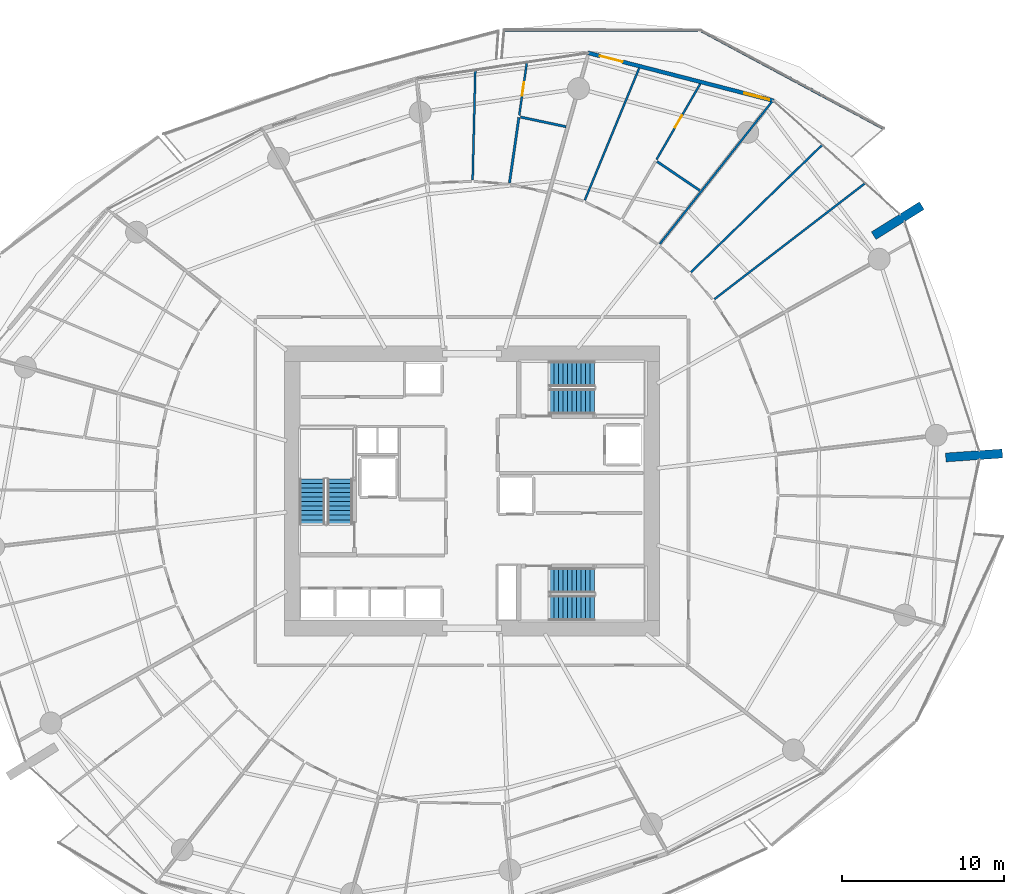
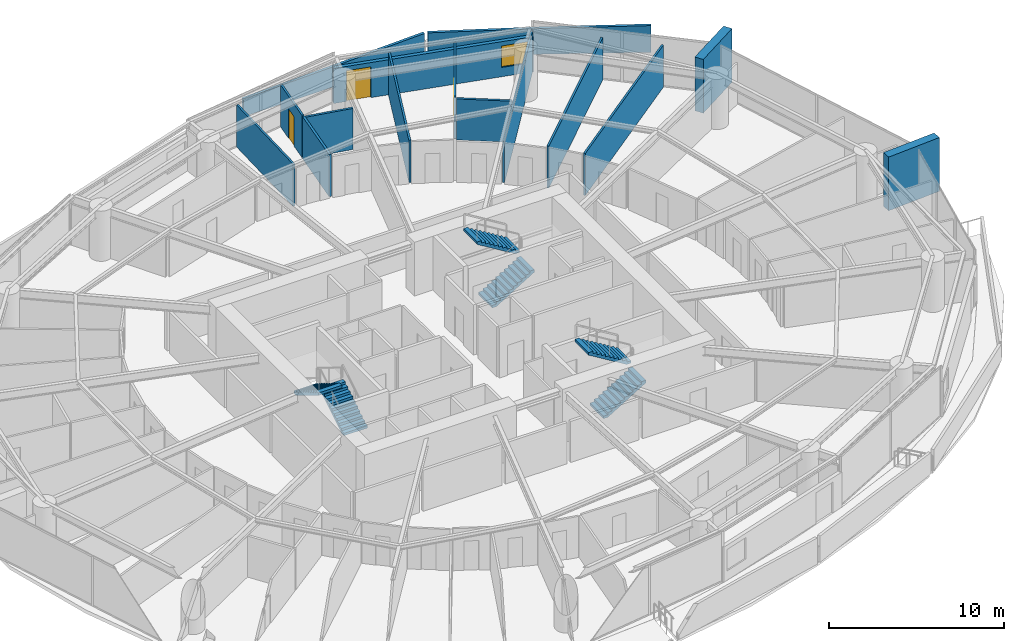
# One storey, part 24 of 31: 15 walls, 6 stair flights, 3 doors, 1 window, 4 openings, 3 elements without a shape of their own.
"""IFC4 building model written with IfcOpenShell, lengths in metres."""

from ifc_helpers import new_model, si_unit, direction, frame, frame_2d, origin, place, context, subcontext, project, spatial, polyline, rectangle, outline, extrude, material, layer, layer_set, type_object, element, fill, aggregate, save


model = new_model("IFC4")

# Units and contexts
model_context = context("Model", 3, precision=1e-05, world=origin(), true_north=direction((0.0, 1.0)))
body_context = subcontext(model_context, "Body", "Model", "MODEL_VIEW")
ifc_project = project(units=[si_unit("LENGTHUNIT", "METRE"), si_unit("AREAUNIT", "SQUARE_METRE"), si_unit("VOLUMEUNIT", "CUBIC_METRE"), si_unit("PLANEANGLEUNIT", "RADIAN"), si_unit("MASSUNIT", "GRAM", prefix="KILO")], contexts=[model_context])

# Site, building, storey
site_placement = place(None, origin())
site = spatial("IfcSite", under=ifc_project, at=site_placement, CompositionType="ELEMENT")
building_placement = place(site_placement, origin())
building = spatial("IfcBuilding", under=site, at=building_placement, Name="Kazma Halo Residences", CompositionType="ELEMENT")
storey_placement = place(building_placement, frame((0.0, 0.0, 45.14990234375)))
storey = spatial("IfcBuildingStorey", under=building, at=storey_placement, Name="L10", CompositionType="ELEMENT", Elevation=45.14990234375)

# Walls
ifc_material_1 = material(Name="White Concrete C50/60 Balustrade", Category="concrete")
ifc_layer_1 = layer(ifc_material_1, 0.179931640625)
ifc_layer_set_1 = layer_set([ifc_layer_1], Name="White Concrete C50/60 Balustrade")
wall_type_1 = type_object("IfcWallType", Name="WL-BAL-WAVE-180", PredefinedType="PARAPET", material=ifc_layer_set_1)
wall_1_placement = place(storey_placement, frame((73.873779296875, 64.373291015625, 0.0), z_axis=(0.0, 0.0, 1.0), x_axis=(-0.881385944807, 0.472396884301, 0.0)))
element("IfcWall", 1, at=wall_1_placement, inside=storey, type_object=wall_type_1, Name="L10 white wave balustrade wall NE.1", PredefinedType="PARAPET", context=body_context, shape_type="SweptSolid", body=[
    extrude(outline(polyline([(0.0, 0.0), (12.779296875, 0.0), (12.779296875, 1.632080078125), (6.3896484375, 1.798095703125), (0.0, 1.860107421875), (0.0, 0.0)])), frame((0.0, 0.08984375, 0.0), z_axis=(0.0, -1.0, 0.0), x_axis=(1.0, 0.0, 0.0)), (0.0, 0.0, 1.0), 0.179931640625),
])
wall_2_placement = place(storey_placement, frame((62.384521484375, 70.466796875, 0.0), z_axis=(0.0, 0.0, 1.0), x_axis=(-0.999999859357, 0.000530363224, 0.0)))
element("IfcWall", 2, at=wall_2_placement, inside=storey, type_object=wall_type_1, Name="L10 white wave balustrade wall NE.2", PredefinedType="PARAPET", context=body_context, shape_type="SweptSolid", body=[
    extrude(outline(polyline([(0.0, 0.0), (11.968505859375, 0.0), (11.968505859375, 1.233154296875), (5.984375, 1.418212890625), (0.0, 1.632080078125), (0.0, 0.0)])), frame((0.0, 0.08984375, 0.0), z_axis=(0.0, -1.0, 0.0), x_axis=(1.0, 0.0, 0.0)), (0.0, 0.0, 1.0), 0.179931640625),
])
ifc_material_2 = material(Name="Pale Concrete C60/75", Category="concrete")
ifc_layer_2 = layer(ifc_material_2, 0.550048828125)
ifc_layer_set_2 = layer_set([ifc_layer_2], Name="Pale Concrete C60/75")
wall_type_2 = type_object("IfcWallType", Name="WL-BLADE-550", PredefinedType="SOLIDWALL", material=ifc_layer_set_2)
for number, where, z_axis, x_axis, name in (
    (3, (73.229736328125, 57.765380859375, 0.0), (0.0, 0.0, 1.0), (0.848053161125, 0.529911158502, 0.0), "L10 pale concrete structural blade fin wall BW-01"),
    (4, (77.677978515625, 44.0751953125, 0.0), (0.0, 0.0, 1.0), (0.997564163539, 0.069754853754, 0.0), "L10 pale concrete structural blade fin wall BW-04"),
):
    element("IfcWall", number, at=place(storey_placement, frame(where, z_axis=z_axis, x_axis=x_axis)), inside=storey, type_object=wall_type_2, Name=name, PredefinedType="SOLIDWALL", context=body_context, shape_type="SweptSolid", body=[
        extrude(rectangle(XDim=3.5, YDim=0.550048828125, at=frame_2d((1.75, 0.0))), origin(), (0.0, 0.0, 1.0), 3.75),
    ])

# Wall, openings, door, window
ifc_material_3 = material(Name="Insulated Pale-Metal Composite Wall")
ifc_layer_3 = layer(ifc_material_3, 0.239990234375)
ifc_layer_set_3 = layer_set([ifc_layer_3], Name="Insulated Pale-Metal Composite Wall")
wall_type_3 = type_object("IfcWallType", Name="WL-EXT-HOST-240", PredefinedType="SOLIDWALL", material=ifc_layer_set_3)
wall_3_placement = place(storey_placement, frame((67.05419921875, 66.09619140625, 0.0), z_axis=(0.0, 0.0, 1.0), x_axis=(-0.96833871487, 0.249640007378, 0.0)))
wall_3 = element("IfcWall", 5, at=wall_3_placement, inside=storey, type_object=wall_type_3, Name="L10 exterior terrace-access wall B02", PredefinedType="SOLIDWALL", context=body_context, shape_type="SweptSolid", body=[
    extrude(rectangle(XDim=11.85107421875, YDim=0.239990234375, at=frame_2d((5.925537109375, 0.0))), origin(), (0.0, 0.0, 1.0), 2.4501953125),
])
opening_1_placement = place(wall_3_placement, frame((9.631103515625, 0.0, 0.0)))
opening_1 = element("IfcOpeningElement", 6, at=opening_1_placement, cuts=wall_3, Name="Opening DTR-1600", PredefinedType="OPENING", context=body_context, shape_type="SweptSolid", body=[
    extrude(rectangle(XDim=1.449951171875, YDim=2.14990234375, at=frame_2d((0.72509765625, 1.074951171875))), frame((0.0, 0.1298828125, 0.0), z_axis=(0.0, -1.0, 0.0), x_axis=(1.0, 0.0, 0.0)), (0.0, 0.0, 1.0), 0.260009765625),
])
opening_2_placement = place(wall_3_placement, frame((0.280029296875, 0.0, 0.64990234375)))
opening_2 = element("IfcOpeningElement", 7, at=opening_2_placement, cuts=wall_3, Name="Opening W-1800", PredefinedType="OPENING", context=body_context, shape_type="SweptSolid", body=[
    extrude(rectangle(XDim=1.60009765625, YDim=1.5, at=frame_2d((0.800048828125, 0.75))), frame((0.0, 0.1298828125, 0.0), z_axis=(0.0, -1.0, 0.0), x_axis=(1.0, 0.0, 0.0)), (0.0, 0.0, 1.0), 0.260009765625),
])
ifc_material_4 = material(Name="Aluminium AW-6063 T6 Double-Glazed Terrace Door", Category="aluminium")
door_type_1 = type_object("IfcDoorType", Name="DR-EXT-TERR-1600", OperationType="NOTDEFINED", PredefinedType="DOOR", material=ifc_material_4)
door_1_placement = place(opening_1_placement, origin())
door_1 = element("IfcDoor", 8, at=door_1_placement, inside=storey, type_object=door_type_1, Name="L10 B02 balcony terrace door", OperationType="DOUBLE_DOOR_SLIDING", OverallHeight=2.14990234375, OverallWidth=1.449951171875, PredefinedType="DOOR", context=body_context, shape_type="SweptSolid", body=[
    extrude(rectangle(XDim=1.449951171875, YDim=2.14990234375, at=frame_2d((0.72509765625, 1.074951171875))), frame((0.0, 0.02490234375, 0.0), z_axis=(0.0, -1.0, 0.0), x_axis=(1.0, 0.0, 0.0)), (0.0, 0.0, 1.0), 0.050048828125),
])
fill(opening_1, door_1)
ifc_material_5 = material(Name="Clear Triple-Silver Low-E Glass in Aluminium AW-6063 T6 Frame", Category="aluminium")
window_type = type_object("IfcWindowType", Name="WIN-RES-1800", PartitioningType="DOUBLE_PANEL_VERTICAL", PredefinedType="WINDOW", material=ifc_material_5)
window_placement = place(opening_2_placement, origin())
window = element("IfcWindow", 9, at=window_placement, inside=storey, type_object=window_type, Name="L10 B02 apartment window", OverallHeight=1.5, OverallWidth=1.60009765625, PartitioningType="SINGLE_PANEL", PredefinedType="WINDOW", context=body_context, shape_type="SweptSolid", body=[
    extrude(rectangle(XDim=1.60009765625, YDim=1.5, at=frame_2d((0.800048828125, 0.75))), frame((0.0, 0.030029296875, 0.0), z_axis=(0.0, -1.0, 0.0), x_axis=(1.0, 0.0, 0.0)), (0.0, 0.0, 1.0), 0.06005859375),
])
fill(opening_2, window)

# Wall, opening, door
ifc_material_6 = material(Name="Gypsum Plasterboard Partition")
ifc_layer_4 = layer(ifc_material_6, 0.125)
ifc_layer_set_4 = layer_set([ifc_layer_4], Name="Gypsum Plasterboard Partition")
wall_type_4 = type_object("IfcWallType", Name="WL-PART-125", PredefinedType="PARTITIONING", material=ifc_layer_set_4)
wall_4_placement = place(storey_placement, frame((51.348388671875, 65.19970703125, 0.0), z_axis=(0.0, 0.0, 1.0), x_axis=(0.142797074678, 0.989751986845, 0.0)))
wall_4 = element("IfcWall", 10, at=wall_4_placement, inside=storey, type_object=wall_type_4, Name="L10 Apartment 1 Household Store Room partition wall", PredefinedType="PARTITIONING", context=body_context, shape_type="SweptSolid", body=[
    extrude(rectangle(XDim=3.279296875, YDim=0.125, at=frame_2d((1.6396484375, 0.0))), origin(), (0.0, 0.0, 1.0), 2.940185546875),
])
opening_3_placement = place(wall_4_placement, frame((1.214599609375, 0.0, 0.0)))
opening_3 = element("IfcOpeningElement", 11, at=opening_3_placement, cuts=wall_4, Name="Opening DB-900", PredefinedType="OPENING", context=body_context, shape_type="SweptSolid", body=[
    extrude(rectangle(XDim=0.85009765625, YDim=2.06005859375, at=frame_2d((0.425048828125, 1.030029296875))), frame((0.0, 0.072509765625, 0.0), z_axis=(0.0, -1.0, 0.0), x_axis=(1.0, 0.0, 0.0)), (0.0, 0.0, 1.0), 0.14501953125),
])
ifc_material_7 = material(Name="Moisture-Sealed Timber Leaf", Category="wood")
door_type_2 = type_object("IfcDoorType", Name="DR-BTH-900", OperationType="NOTDEFINED", PredefinedType="DOOR", material=ifc_material_7)
door_2_placement = place(opening_3_placement, origin())
door_2 = element("IfcDoor", 12, at=door_2_placement, inside=storey, type_object=door_type_2, Name="L10 Apartment 1 Household Store Room door", OperationType="SINGLE_SWING_RIGHT", OverallHeight=2.06005859375, OverallWidth=0.85009765625, PredefinedType="DOOR", context=body_context, shape_type="SweptSolid", body=[
    extrude(rectangle(XDim=0.85009765625, YDim=2.06005859375, at=frame_2d((0.425048828125, 1.030029296875))), frame((0.0, 0.02490234375, 0.0), z_axis=(0.0, -1.0, 0.0), x_axis=(1.0, 0.0, 0.0)), (0.0, 0.0, 1.0), 0.050048828125),
])
fill(opening_3, door_2)

# Walls
wall_5_placement = place(storey_placement, frame((48.47119140625, 61.21435546875, 0.0), z_axis=(0.0, 0.0, 1.0), x_axis=(0.024507226547, 0.999699652819, 0.0)))
element("IfcWall", 13, at=wall_5_placement, inside=storey, type_object=wall_type_4, Name="L10 Apartment 1 suite divider 2", PredefinedType="PARTITIONING", context=body_context, shape_type="SweptSolid", body=[
    extrude(rectangle(XDim=6.754150390625, YDim=0.125, at=frame_2d((3.376953125, 0.0))), origin(), (0.0, 0.0, 1.0), 2.940185546875),
])
wall_6_placement = place(storey_placement, frame((63.393798828125, 53.84423828125, 0.0), z_axis=(0.0, 0.0, 1.0), x_axis=(0.792561224619, 0.609792345992, 0.0)))
element("IfcWall", 14, at=wall_6_placement, inside=storey, type_object=wall_type_4, Name="L10 Apartment 3 bay wall 1 0", PredefinedType="PARTITIONING", context=body_context, shape_type="SweptSolid", body=[
    extrude(rectangle(XDim=11.713623046875, YDim=0.125, at=frame_2d((5.85693359375, 0.0))), origin(), (0.0, 0.0, 1.0), 2.940185546875),
])
wall_7_placement = place(storey_placement, frame((61.947998046875, 55.5166015625, 0.0), z_axis=(0.0, 0.0, 1.0), x_axis=(0.718127497198, 0.69591155887, 0.0)))
element("IfcWall", 15, at=wall_7_placement, inside=storey, type_object=wall_type_4, Name="L10 Apartment 3 bay wall 2 0", PredefinedType="PARTITIONING", context=body_context, shape_type="SweptSolid", body=[
    extrude(rectangle(XDim=11.26416015625, YDim=0.125, at=frame_2d((5.632080078125, 0.0))), origin(), (0.0, 0.0, 1.0), 2.940185546875),
])
wall_8_placement = place(storey_placement, frame((60.03076171875, 57.260986328125, 0.0), z_axis=(0.0, 0.0, 1.0), x_axis=(0.619090661436, 0.78531952282, 0.0)))
element("IfcWall", 16, at=wall_8_placement, inside=storey, type_object=wall_type_4, Name="L10 Apartment 3 radial partition 1", PredefinedType="PARTITIONING", context=body_context, shape_type="SweptSolid", body=[
    extrude(rectangle(XDim=11.241455078125, YDim=0.125, at=frame_2d((5.62060546875, 0.0))), origin(), (0.0, 0.0, 1.0), 2.8671875),
])

# Wall, opening, door
wall_9_placement = place(storey_placement, frame((59.826904296875, 62.472412109375, 0.0), z_axis=(0.0, 0.0, 1.0), x_axis=(0.500211191889, 0.865903437751, 0.0)))
wall_9 = element("IfcWall", 17, at=wall_9_placement, inside=storey, type_object=wall_type_4, Name="L10 Apartment 3 Corner Walk-In Wardrobe partition wall", PredefinedType="PARTITIONING", context=body_context, shape_type="SweptSolid", body=[
    extrude(rectangle(XDim=5.390380859375, YDim=0.125, at=frame_2d((2.6953125, 0.0))), origin(), (0.0, 0.0, 1.0), 2.940185546875),
])
opening_4_placement = place(wall_9_placement, frame((2.270263671875, 0.0, 0.0)))
opening_4 = element("IfcOpeningElement", 18, at=opening_4_placement, cuts=wall_9, Name="Opening DB-900", PredefinedType="OPENING", context=body_context, shape_type="SweptSolid", body=[
    extrude(rectangle(XDim=0.85009765625, YDim=2.06005859375, at=frame_2d((0.425048828125, 1.030029296875))), frame((0.0, 0.072509765625, 0.0), z_axis=(0.0, -1.0, 0.0), x_axis=(1.0, 0.0, 0.0)), (0.0, 0.0, 1.0), 0.14501953125),
])
door_3_placement = place(opening_4_placement, origin())
door_3 = element("IfcDoor", 19, at=door_3_placement, inside=storey, type_object=door_type_2, Name="L10 Apartment 3 Corner Walk-In Wardrobe door", OperationType="SINGLE_SWING_LEFT", OverallHeight=2.06005859375, OverallWidth=0.85009765625, PredefinedType="DOOR", context=body_context, shape_type="SweptSolid", body=[
    extrude(rectangle(XDim=0.85009765625, YDim=2.06005859375, at=frame_2d((0.425048828125, 1.030029296875))), frame((0.0, 0.02490234375, 0.0), z_axis=(0.0, -1.0, 0.0), x_axis=(1.0, 0.0, 0.0)), (0.0, 0.0, 1.0), 0.050048828125),
])
fill(opening_4, door_3)

# Walls
wall_10_placement = place(storey_placement, frame((55.396240234375, 59.959716796875, 0.0), z_axis=(0.0, 0.0, 1.0), x_axis=(0.380799964435, 0.924657443103, 0.0)))
element("IfcWall", 20, at=wall_10_placement, inside=storey, type_object=wall_type_4, Name="L10 Apartment 3 suite divider 1", PredefinedType="PARTITIONING", context=body_context, shape_type="SweptSolid", body=[
    extrude(rectangle(XDim=8.81298828125, YDim=0.125, at=frame_2d((4.406494140625, 0.0))), origin(), (0.0, 0.0, 1.0), 2.940185546875),
])
ifc_material_8 = material(Name="Moisture-Resistant Gypsum")
ifc_layer_5 = layer(ifc_material_8, 0.14990234375)
ifc_layer_set_5 = layer_set([ifc_layer_5], Name="Moisture-Resistant Gypsum")
wall_type_5 = type_object("IfcWallType", Name="WL-WET-150", PredefinedType="PARTITIONING", material=ifc_layer_set_5)
wall_11_placement = place(storey_placement, frame((54.240234375, 64.494140625, 0.0), z_axis=(0.0, 0.0, 1.0), x_axis=(-0.978224736895, 0.207548462118, 0.0)))
element("IfcWall", 21, at=wall_11_placement, inside=storey, type_object=wall_type_5, Name="L10 Apartment 1 Guest Bathroom back wall", PredefinedType="PARTITIONING", context=body_context, shape_type="SweptSolid", body=[
    extrude(rectangle(XDim=2.879638671875, YDim=0.14990234375, at=frame_2d((1.43994140625, 0.0))), origin(), (0.0, 0.0, 1.0), 2.8671875),
])
wall_12_placement = place(storey_placement, frame((50.74560546875, 61.02294921875, 0.0), z_axis=(0.0, 0.0, 1.0), x_axis=(0.142791831245, 0.98975274333, 0.0)))
element("IfcWall", 22, at=wall_12_placement, inside=storey, type_object=wall_type_5, Name="L10 Apartment 1 Guest Bathroom side wall", PredefinedType="PARTITIONING", context=body_context, shape_type="SweptSolid", body=[
    extrude(rectangle(XDim=4.08984375, YDim=0.14990234375, at=frame_2d((2.044921875, 0.0))), origin(), (0.0, 0.0, 1.0), 2.940185546875),
])
wall_13_placement = place(storey_placement, frame((62.498779296875, 60.552734375, 0.0), z_axis=(0.0, 0.0, 1.0), x_axis=(-0.827754852397, 0.561089925354, 0.0)))
element("IfcWall", 23, at=wall_13_placement, inside=storey, type_object=wall_type_5, Name="L10 Apartment 3 Outer En-Suite Bathroom back wall", PredefinedType="PARTITIONING", context=body_context, shape_type="SweptSolid", body=[
    extrude(rectangle(XDim=3.1923828125, YDim=0.14990234375, at=frame_2d((1.59619140625, 0.0))), origin(), (0.0, 0.0, 1.0), 2.8671875),
])

# Stair, stair flights
ifc_material_9 = material(Name="Concrete C50/60", Category="concrete")
stair_type = type_object("IfcStairType", Name="STR-RES1", PredefinedType="HALF_TURN_STAIR", material=ifc_material_9)
stair_1_placement = place(storey_placement, origin())
stair_1 = element("IfcStair", 24, at=stair_1_placement, inside=storey, type_object=stair_type, Name="L10 Core exit stair ST-01", PredefinedType="HALF_TURN_STAIR")
stair_flight_type = type_object("IfcStairFlightType", Name="STR-RES1-FLT", PredefinedType="STRAIGHT", material=ifc_material_9)
stair_flight_1_placement = place(storey_placement, frame((40.27490234375, 39.949951171875, 0.0), z_axis=(0.0, 0.0, 1.0), x_axis=(0.0, 1.0, 0.0)))
stair_flight_1 = element("IfcStairFlight", 25, at=stair_flight_1_placement, type_object=stair_flight_type, Name="ST-01 flight 1", NumberOfRisers=11, NumberOfTreads=10, PredefinedType="STRAIGHT", RiserHeight=0.170454545, TreadLength=0.28, context=body_context, shape_type="SweptSolid", body=[
    extrude(outline(polyline([(0.0, 0.0), (0.0, 0.17041015625), (0.280029296875, 0.17041015625), (0.280029296875, 0.3408203125), (0.56005859375, 0.3408203125), (0.56005859375, 0.511474609375), (0.840087890625, 0.511474609375), (0.840087890625, 0.681884765625), (1.1201171875, 0.681884765625), (1.1201171875, 0.852294921875), (1.39990234375, 0.852294921875), (1.39990234375, 1.022705078125), (1.679931640625, 1.022705078125), (1.679931640625, 1.193115234375), (1.9599609375, 1.193115234375), (1.9599609375, 1.363525390625), (2.239990234375, 1.363525390625), (2.239990234375, 1.5341796875), (2.52001953125, 1.5341796875), (2.52001953125, 1.70458984375), (2.800048828125, 1.70458984375), (2.800048828125, 1.875), (2.800048828125, 1.529052734375), (0.288330078125, 0.0), (0.0, 0.0)])), frame((0.0, 0.77490234375, 0.0), z_axis=(0.0, -1.0, 0.0), x_axis=(1.0, 0.0, 0.0)), (0.0, 0.0, 1.0), 1.550048828125),
])
stair_flight_2_placement = place(storey_placement, frame((38.574951171875, 42.75, 1.875), z_axis=(0.0, 0.0, 1.0), x_axis=(0.0, -1.0, 0.0)))
stair_flight_2 = element("IfcStairFlight", 26, at=stair_flight_2_placement, type_object=stair_flight_type, Name="ST-01 flight 2", NumberOfRisers=11, NumberOfTreads=10, PredefinedType="STRAIGHT", RiserHeight=0.170454545, TreadLength=0.28, context=body_context, shape_type="SweptSolid", body=[
    extrude(outline(polyline([(0.0, 0.0), (0.0, 0.17041015625), (0.280029296875, 0.17041015625), (0.280029296875, 0.3408203125), (0.56005859375, 0.3408203125), (0.56005859375, 0.511474609375), (0.840087890625, 0.511474609375), (0.840087890625, 0.681884765625), (1.1201171875, 0.681884765625), (1.1201171875, 0.852294921875), (1.39990234375, 0.852294921875), (1.39990234375, 1.022705078125), (1.679931640625, 1.022705078125), (1.679931640625, 1.193115234375), (1.9599609375, 1.193115234375), (1.9599609375, 1.363525390625), (2.239990234375, 1.363525390625), (2.239990234375, 1.5341796875), (2.52001953125, 1.5341796875), (2.52001953125, 1.70458984375), (2.800048828125, 1.70458984375), (2.800048828125, 1.875), (2.800048828125, 1.529052734375), (0.288330078125, 0.0), (0.0, 0.0)])), frame((0.0, 0.77490234375, 0.0), z_axis=(0.0, -1.0, 0.0), x_axis=(1.0, 0.0, 0.0)), (0.0, 0.0, 1.0), 1.550048828125),
])
aggregate(stair_1, [stair_flight_1, stair_flight_2])

stair_2_placement = place(storey_placement, origin())
stair_2 = element("IfcStair", 27, at=stair_2_placement, inside=storey, type_object=stair_type, Name="L10 Core exit stair ST-02", PredefinedType="HALF_TURN_STAIR")
stair_flight_3_placement = place(storey_placement, frame((53.199951171875, 47.52490234375, 0.0), z_axis=(0.0, 0.0, 1.0), x_axis=(1.0, 0.0, 0.0)))
stair_flight_3 = element("IfcStairFlight", 28, at=stair_flight_3_placement, type_object=stair_flight_type, Name="ST-02 flight 1", NumberOfRisers=11, NumberOfTreads=10, PredefinedType="STRAIGHT", RiserHeight=0.170454545, TreadLength=0.28, context=body_context, shape_type="SweptSolid", body=[
    extrude(outline(polyline([(0.0, 0.0), (0.0, 0.17041015625), (0.280029296875, 0.17041015625), (0.280029296875, 0.3408203125), (0.56005859375, 0.3408203125), (0.56005859375, 0.511474609375), (0.840087890625, 0.511474609375), (0.840087890625, 0.681884765625), (1.1201171875, 0.681884765625), (1.1201171875, 0.852294921875), (1.39990234375, 0.852294921875), (1.39990234375, 1.022705078125), (1.679931640625, 1.022705078125), (1.679931640625, 1.193115234375), (1.9599609375, 1.193115234375), (1.9599609375, 1.363525390625), (2.239990234375, 1.363525390625), (2.239990234375, 1.5341796875), (2.52001953125, 1.5341796875), (2.52001953125, 1.70458984375), (2.800048828125, 1.70458984375), (2.800048828125, 1.875), (2.800048828125, 1.529052734375), (0.288330078125, 0.0), (0.0, 0.0)])), frame((0.0, 0.77490234375, 0.0), z_axis=(0.0, -1.0, 0.0), x_axis=(1.0, 0.0, 0.0)), (0.0, 0.0, 1.0), 1.550048828125),
])
stair_flight_4_placement = place(storey_placement, frame((56.0, 49.22509765625, 1.875), z_axis=(0.0, 0.0, 1.0), x_axis=(-1.0, 0.0, 0.0)))
stair_flight_4 = element("IfcStairFlight", 29, at=stair_flight_4_placement, type_object=stair_flight_type, Name="ST-02 flight 2", NumberOfRisers=11, NumberOfTreads=10, PredefinedType="STRAIGHT", RiserHeight=0.170454545, TreadLength=0.28, context=body_context, shape_type="SweptSolid", body=[
    extrude(outline(polyline([(0.0, 0.0), (0.0, 0.17041015625), (0.280029296875, 0.17041015625), (0.280029296875, 0.3408203125), (0.56005859375, 0.3408203125), (0.56005859375, 0.511474609375), (0.840087890625, 0.511474609375), (0.840087890625, 0.681884765625), (1.1201171875, 0.681884765625), (1.1201171875, 0.852294921875), (1.39990234375, 0.852294921875), (1.39990234375, 1.022705078125), (1.679931640625, 1.022705078125), (1.679931640625, 1.193115234375), (1.9599609375, 1.193115234375), (1.9599609375, 1.363525390625), (2.239990234375, 1.363525390625), (2.239990234375, 1.5341796875), (2.52001953125, 1.5341796875), (2.52001953125, 1.70458984375), (2.800048828125, 1.70458984375), (2.800048828125, 1.875), (2.800048828125, 1.529052734375), (0.288330078125, 0.0), (0.0, 0.0)])), frame((0.0, 0.77490234375, 0.0), z_axis=(0.0, -1.0, 0.0), x_axis=(1.0, 0.0, 0.0)), (0.0, 0.0, 1.0), 1.550048828125),
])
aggregate(stair_2, [stair_flight_3, stair_flight_4])

stair_3_placement = place(storey_placement, origin())
stair_3 = element("IfcStair", 30, at=stair_3_placement, inside=storey, type_object=stair_type, Name="L10 Core exit stair ST-03", PredefinedType="HALF_TURN_STAIR")
stair_flight_5_placement = place(storey_placement, frame((53.199951171875, 34.77490234375, 0.0), z_axis=(0.0, 0.0, 1.0), x_axis=(1.0, 0.0, 0.0)))
stair_flight_5 = element("IfcStairFlight", 31, at=stair_flight_5_placement, type_object=stair_flight_type, Name="ST-03 flight 1", NumberOfRisers=11, NumberOfTreads=10, PredefinedType="STRAIGHT", RiserHeight=0.170454545, TreadLength=0.28, context=body_context, shape_type="SweptSolid", body=[
    extrude(outline(polyline([(0.0, 0.0), (0.0, 0.17041015625), (0.280029296875, 0.17041015625), (0.280029296875, 0.3408203125), (0.56005859375, 0.3408203125), (0.56005859375, 0.511474609375), (0.840087890625, 0.511474609375), (0.840087890625, 0.681884765625), (1.1201171875, 0.681884765625), (1.1201171875, 0.852294921875), (1.39990234375, 0.852294921875), (1.39990234375, 1.022705078125), (1.679931640625, 1.022705078125), (1.679931640625, 1.193115234375), (1.9599609375, 1.193115234375), (1.9599609375, 1.363525390625), (2.239990234375, 1.363525390625), (2.239990234375, 1.5341796875), (2.52001953125, 1.5341796875), (2.52001953125, 1.70458984375), (2.800048828125, 1.70458984375), (2.800048828125, 1.875), (2.800048828125, 1.529052734375), (0.288330078125, 0.0), (0.0, 0.0)])), frame((0.0, 0.77490234375, 0.0), z_axis=(0.0, -1.0, 0.0), x_axis=(1.0, 0.0, 0.0)), (0.0, 0.0, 1.0), 1.550048828125),
])
stair_flight_6_placement = place(storey_placement, frame((56.0, 36.47509765625, 1.875), z_axis=(0.0, 0.0, 1.0), x_axis=(-1.0, 0.0, 0.0)))
stair_flight_6 = element("IfcStairFlight", 32, at=stair_flight_6_placement, type_object=stair_flight_type, Name="ST-03 flight 2", NumberOfRisers=11, NumberOfTreads=10, PredefinedType="STRAIGHT", RiserHeight=0.170454545, TreadLength=0.28, context=body_context, shape_type="SweptSolid", body=[
    extrude(outline(polyline([(0.0, 0.0), (0.0, 0.17041015625), (0.280029296875, 0.17041015625), (0.280029296875, 0.3408203125), (0.56005859375, 0.3408203125), (0.56005859375, 0.511474609375), (0.840087890625, 0.511474609375), (0.840087890625, 0.681884765625), (1.1201171875, 0.681884765625), (1.1201171875, 0.852294921875), (1.39990234375, 0.852294921875), (1.39990234375, 1.022705078125), (1.679931640625, 1.022705078125), (1.679931640625, 1.193115234375), (1.9599609375, 1.193115234375), (1.9599609375, 1.363525390625), (2.239990234375, 1.363525390625), (2.239990234375, 1.5341796875), (2.52001953125, 1.5341796875), (2.52001953125, 1.70458984375), (2.800048828125, 1.70458984375), (2.800048828125, 1.875), (2.800048828125, 1.529052734375), (0.288330078125, 0.0), (0.0, 0.0)])), frame((0.0, 0.77490234375, 0.0), z_axis=(0.0, -1.0, 0.0), x_axis=(1.0, 0.0, 0.0)), (0.0, 0.0, 1.0), 1.550048828125),
])
aggregate(stair_3, [stair_flight_5, stair_flight_6])

save(model, "model.ifc")
